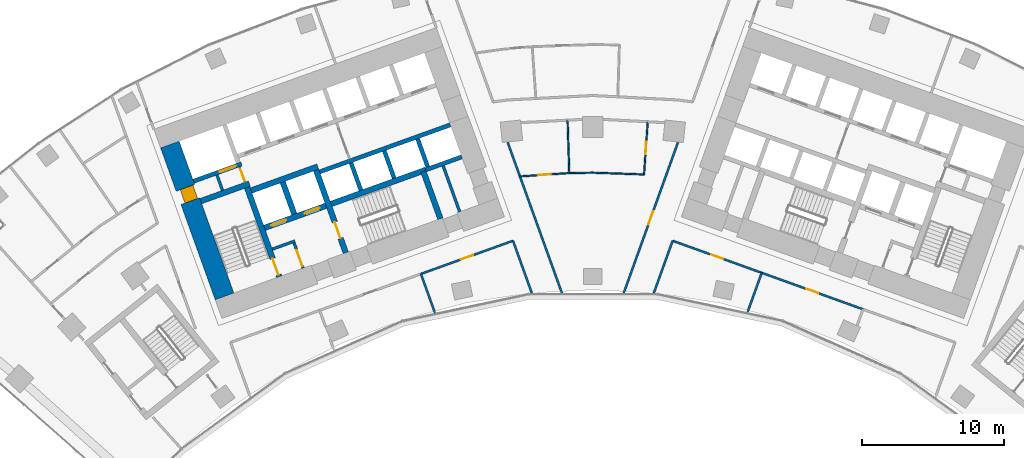
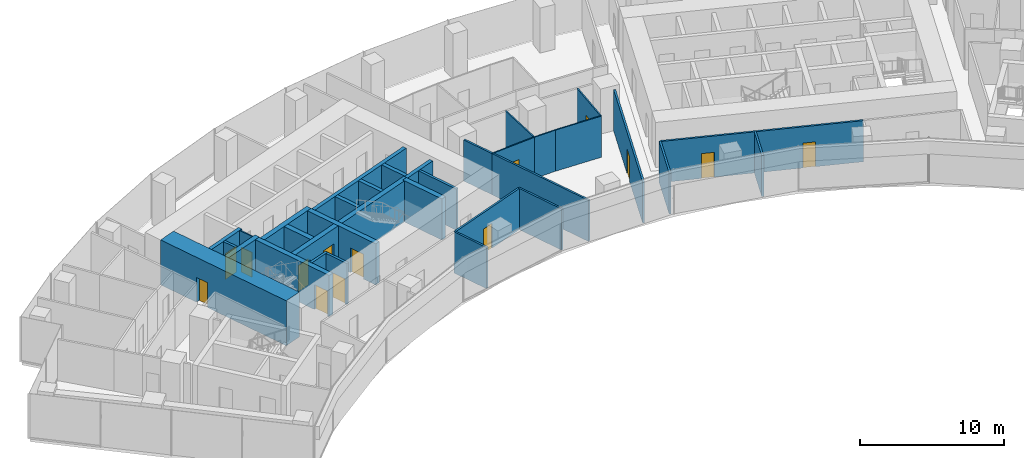
# One storey, part 14 of 21: 34 walls, 14 doors, 14 openings.
"""IFC4 building model written with IfcOpenShell, lengths in metres."""

from ifc_helpers import new_model, si_unit, direction, frame, frame_2d, origin, place, context, subcontext, project, spatial, rectangle, extrude, material, layer, layer_set, type_object, element, fill, save


model = new_model("IFC4")

# Units and contexts
model_context = context("Model", 3, precision=1e-05, world=origin(), true_north=direction((0.0, 1.0)))
body_context = subcontext(model_context, "Body", "Model", "MODEL_VIEW")
ifc_project = project(units=[si_unit("LENGTHUNIT", "METRE"), si_unit("AREAUNIT", "SQUARE_METRE"), si_unit("VOLUMEUNIT", "CUBIC_METRE"), si_unit("PLANEANGLEUNIT", "RADIAN"), si_unit("MASSUNIT", "GRAM", prefix="KILO")], contexts=[model_context])

# Site, building, storey
site_placement = place(None, origin())
site = spatial("IfcSite", under=ifc_project, at=site_placement, CompositionType="ELEMENT")
building_placement = place(site_placement, origin())
building = spatial("IfcBuilding", under=site, at=building_placement, Name="Stone Belt Terrace Tower", CompositionType="ELEMENT")
storey_placement = place(building_placement, frame((0.0, 0.0, 117.39990234375)))
storey = spatial("IfcBuildingStorey", under=building, at=storey_placement, Name="L28", CompositionType="ELEMENT", Elevation=117.39990234375)

# Wall, opening, door
ifc_material_1 = material(Name="Plasterboard partition")
ifc_layer_1 = layer(ifc_material_1, 0.10009765625)
ifc_layer_set_1 = layer_set([ifc_layer_1], Name="Core partition 100")
wall_type_1 = type_object("IfcWallType", Name="Core partition 100", PredefinedType="PARTITIONING", material=ifc_layer_set_1)
wall_1_placement = place(storey_placement, frame((-24.555908203125, 51.10400390625, 0.0), z_axis=(0.0, 0.0, 1.0), x_axis=(-0.338621735342, 0.94092258999, 0.0)))
wall_1 = element("IfcWall", 1, at=wall_1_placement, inside=storey, type_object=wall_type_1, Name="Core A wall", PredefinedType="PARTITIONING", context=body_context, shape_type="SweptSolid", body=[
    extrude(rectangle(XDim=1.14990234375, YDim=0.10009765625, at=frame_2d((0.574951171875, 0.0))), origin(), (0.0, 0.0, 1.0), 3.47998046875),
])
opening_1_placement = place(wall_1_placement, frame((0.050048828125, 0.0, 0.0)))
opening_1 = element("IfcOpeningElement", 2, at=opening_1_placement, cuts=wall_1, Name="Opening L28-C02", PredefinedType="OPENING", context=body_context, shape_type="SweptSolid", body=[
    extrude(rectangle(XDim=1.0, YDim=2.10009765625, at=frame_2d((0.5, 1.050048828125))), frame((0.0, 0.06005859375, 0.0), z_axis=(0.0, -1.0, 0.0), x_axis=(1.0, 0.0, 0.0)), (0.0, 0.0, 1.0), 0.1201171875),
])
ifc_material_2 = material(Name="Timber door leaf", Category="wood")
door_type_1 = type_object("IfcDoorType", Name="Core room door 1000", OperationType="SINGLE_SWING_LEFT", PredefinedType="DOOR", material=ifc_material_2)
door_1_placement = place(opening_1_placement, origin())
door_1 = element("IfcDoor", 3, at=door_1_placement, inside=storey, type_object=door_type_1, Name="Service lift lobby door core A", OperationType="SINGLE_SWING_LEFT", OverallHeight=2.10009765625, OverallWidth=1.0, PredefinedType="DOOR", context=body_context, shape_type="SweptSolid", body=[
    extrude(rectangle(XDim=1.0, YDim=2.10009765625, at=frame_2d((0.5, 1.050048828125))), frame((0.0, 0.02490234375, 0.0), z_axis=(0.0, -1.0, 0.0), x_axis=(1.0, 0.0, 0.0)), (0.0, 0.0, 1.0), 0.050048828125),
])
fill(opening_1, door_1)

ifc_material_3 = material(Name="Concrete B80", Category="concrete")
ifc_layer_2 = layer(ifc_material_3, 1.39990234375)
ifc_layer_set_2 = layer_set([ifc_layer_2], Name="Core wall 1400 B80")
wall_type_2 = type_object("IfcWallType", Name="Core wall 1400 B80", PredefinedType="SHEAR", material=ifc_layer_set_2)
wall_2_placement = place(storey_placement, frame((-26.00927734375, 43.03515625, 0.0), z_axis=(0.0, 0.0, 1.0), x_axis=(-0.338625431531, 0.940921259788, 0.0)))
wall_2 = element("IfcWall", 4, at=wall_2_placement, inside=storey, type_object=wall_type_2, Name="Core A wall end_a L28", PredefinedType="SHEAR", context=body_context, shape_type="SweptSolid", body=[
    extrude(rectangle(XDim=11.400146484375, YDim=1.39990234375, at=frame_2d((5.7001953125, 0.0))), origin(), (0.0, 0.0, 1.0), 3.800048828125),
])
opening_2_placement = place(wall_2_placement, frame((7.14990234375, 0.0, 0.0)))
opening_2 = element("IfcOpeningElement", 5, at=opening_2_placement, cuts=wall_2, Name="Opening L28-C01", PredefinedType="OPENING", context=body_context, shape_type="SweptSolid", body=[
    extrude(rectangle(XDim=1.0, YDim=2.10009765625, at=frame_2d((0.5, 1.050048828125))), frame((0.0, 0.7099609375, 0.0), z_axis=(0.0, -1.0, 0.0), x_axis=(1.0, 0.0, 0.0)), (0.0, 0.0, 1.0), 1.419921875),
])
door_2_placement = place(opening_2_placement, origin())
door_2 = element("IfcDoor", 6, at=door_2_placement, inside=storey, type_object=door_type_1, Name="Door to Telecommunications riser room core A", OperationType="SINGLE_SWING_RIGHT", OverallHeight=2.10009765625, OverallWidth=1.0, PredefinedType="DOOR", context=body_context, shape_type="SweptSolid", body=[
    extrude(rectangle(XDim=1.0, YDim=2.10009765625, at=frame_2d((0.5, 1.050048828125))), frame((0.0, 0.39501953125, 0.0), z_axis=(0.0, -1.0, 0.0), x_axis=(1.0, 0.0, 0.0)), (0.0, 0.0, 1.0), 0.949951171875),
])
fill(opening_2, door_2)

# Walls
ifc_layer_3 = layer(ifc_material_3, 0.39990234375)
ifc_layer_set_3 = layer_set([ifc_layer_3], Name="Fire-fighting lift shaft wall 400")
wall_type_3 = type_object("IfcWallType", Name="Fire-fighting lift shaft wall 400", PredefinedType="SHEAR", material=ifc_layer_set_3)
wall_3_placement = place(storey_placement, frame((-24.130615234375, 50.512939453125, 0.0), z_axis=(0.0, 0.0, 1.0), x_axis=(0.94091168377, 0.338652038744, 0.0)))
element("IfcWall", 7, at=wall_3_placement, inside=storey, type_object=wall_type_3, Name="Core A wall", PredefinedType="SHEAR", context=body_context, shape_type="SweptSolid", body=[
    extrude(rectangle(XDim=5.000244140625, YDim=0.39990234375, at=frame_2d((2.5, 0.0))), origin(), (0.0, 0.0, 1.0), 3.47998046875),
])
wall_4_placement = place(storey_placement, frame((-21.0859375, 48.845458984375, 0.0), z_axis=(0.0, 0.0, 1.0), x_axis=(-0.338629416206, 0.940919825745, 0.0)))
element("IfcWall", 8, at=wall_4_placement, inside=storey, type_object=wall_type_3, Name="Core A wall", PredefinedType="SHEAR", context=body_context, shape_type="SweptSolid", body=[
    extrude(rectangle(XDim=2.400146484375, YDim=0.39990234375, at=frame_2d((1.2001953125, 0.0))), origin(), (0.0, 0.0, 1.0), 3.47998046875),
])

# Wall, opening, door
ifc_layer_4 = layer(ifc_material_3, 0.300048828125)
ifc_layer_set_4 = layer_set([ifc_layer_4], Name="Lift shaft wall 300")
wall_type_4 = type_object("IfcWallType", Name="Lift shaft wall 300", PredefinedType="SHEAR", material=ifc_layer_set_4)
wall_5_placement = place(storey_placement, frame((-28.195068359375, 51.17578125, 0.0), z_axis=(0.0, 0.0, 1.0), x_axis=(0.940901243567, 0.338681044427, 0.0)))
wall_5 = element("IfcWall", 9, at=wall_5_placement, inside=storey, type_object=wall_type_4, Name="Core A wall", PredefinedType="SHEAR", context=body_context, shape_type="SweptSolid", body=[
    extrude(rectangle(XDim=3.599853515625, YDim=0.300048828125, at=frame_2d((1.7998046875, 0.0))), origin(), (0.0, 0.0, 1.0), 3.47998046875),
])
opening_3_placement = place(wall_5_placement, frame((1.969970703125, 0.0, 0.0)))
opening_3 = element("IfcOpeningElement", 10, at=opening_3_placement, cuts=wall_5, Name="Opening L28-LD09", PredefinedType="OPENING", context=body_context, shape_type="SweptSolid", body=[
    extrude(rectangle(XDim=1.199951171875, YDim=2.199951171875, at=frame_2d((0.60009765625, 1.10009765625))), frame((0.0, 0.159912109375, 0.0), z_axis=(0.0, -1.0, 0.0), x_axis=(1.0, 0.0, 0.0)), (0.0, 0.0, 1.0), 0.320068359375),
])
ifc_material_4 = material(Name="Stainless steel door leaf", Category="steel")
door_type_2 = type_object("IfcDoorType", Name="Landing door 1200", OperationType="SLIDING_TO_LEFT", PredefinedType="DOOR", material=ifc_material_4)
door_3_placement = place(opening_3_placement, origin())
door_3 = element("IfcDoor", 11, at=door_3_placement, inside=storey, type_object=door_type_2, Name="Landing door SV1 core A", OperationType="SLIDING_TO_LEFT", OverallHeight=2.199951171875, OverallWidth=1.199951171875, PredefinedType="DOOR", context=body_context, shape_type="SweptSolid", body=[
    extrude(rectangle(XDim=1.199951171875, YDim=2.199951171875, at=frame_2d((0.60009765625, 1.10009765625))), frame((0.0, 0.02490234375, 0.0), z_axis=(0.0, -1.0, 0.0), x_axis=(1.0, 0.0, 0.0)), (0.0, 0.0, 1.0), 0.050048828125),
])
fill(opening_3, door_3)

# Walls
wall_6_placement = place(storey_placement, frame((-19.29052734375, 51.829833984375, 0.0), z_axis=(0.0, 0.0, 1.0), x_axis=(0.940925833398, 0.338612722803, 0.0)))
element("IfcWall", 12, at=wall_6_placement, inside=storey, type_object=wall_type_4, Name="Core A wall", PredefinedType="SHEAR", context=body_context, shape_type="SweptSolid", body=[
    extrude(rectangle(XDim=9.7998046875, YDim=0.300048828125, at=frame_2d((4.89990234375, 0.0))), origin(), (0.0, 0.0, 1.0), 3.47998046875),
])
for number, where, z_axis, x_axis, name in (
    (13, (-16.38134765625, 50.53857421875, 0.0), (0.0, 0.0, 1.0), (-0.338681515556, 0.940901073982, 0.0), "Core A wall"),
    (14, (-14.029052734375, 51.38525390625, 0.0), (0.0, 0.0, 1.0), (-0.338681515556, 0.940901073982, 0.0), "Core A wall"),
):
    element("IfcWall", number, at=place(storey_placement, frame(where, z_axis=z_axis, x_axis=x_axis)), inside=storey, type_object=wall_type_4, Name=name, PredefinedType="SHEAR", context=body_context, shape_type="SweptSolid", body=[
        extrude(rectangle(XDim=2.050048828125, YDim=0.300048828125, at=frame_2d((1.02490234375, 0.0))), origin(), (0.0, 0.0, 1.0), 3.47998046875),
    ])
wall_7_placement = place(storey_placement, frame((-11.797119140625, 51.975830078125, 0.0), z_axis=(0.0, 0.0, 1.0), x_axis=(0.940910465161, 0.33865542451, 0.0)))
element("IfcWall", 15, at=wall_7_placement, inside=storey, type_object=wall_type_4, Name="Core A wall", PredefinedType="SHEAR", context=body_context, shape_type="SweptSolid", body=[
    extrude(rectangle(XDim=2.69970703125, YDim=0.300048828125, at=frame_2d((1.349853515625, 0.0))), origin(), (0.0, 0.0, 1.0), 3.47998046875),
])
wall_8_placement = place(storey_placement, frame((-11.659912109375, 52.184814453125, 0.0), z_axis=(0.0, 0.0, 1.0), x_axis=(-0.338670064856, 0.940905195634, 0.0)))
element("IfcWall", 16, at=wall_8_placement, inside=storey, type_object=wall_type_4, Name="Core A wall", PredefinedType="SHEAR", context=body_context, shape_type="SweptSolid", body=[
    extrude(rectangle(XDim=2.099853515625, YDim=0.300048828125, at=frame_2d((1.0498046875, 0.0))), origin(), (0.0, 0.0, 1.0), 3.47998046875),
])

# Wall, opening, door
ifc_material_5 = material(Name="Gypsum board partition")
ifc_layer_5 = layer(ifc_material_5, 0.10009765625)
ifc_layer_set_5 = layer_set([ifc_layer_5], Name="PARTITION 100")
wall_type_5 = type_object("IfcWallType", Name="PARTITION 100", PredefinedType="PARTITIONING", material=ifc_layer_set_5)
wall_9_placement = place(storey_placement, frame((-5.14697265625, 51.509033203125, 0.0), z_axis=(0.0, 0.0, 1.0), x_axis=(0.997654919986, 0.068444580705, 0.0)))
wall_9 = element("IfcWall", 17, at=wall_9_placement, inside=storey, type_object=wall_type_5, Name="L28/wall/i095", PredefinedType="PARTITIONING", context=body_context, shape_type="SweptSolid", body=[
    extrude(rectangle(XDim=3.4921875, YDim=0.10009765625, at=frame_2d((1.74609375, 0.0))), origin(), (0.0, 0.0, 1.0), 3.47998046875),
])
opening_4_placement = place(wall_9_placement, frame((1.296142578125, 0.0, 0.0)))
opening_4 = element("IfcOpeningElement", 18, at=opening_4_placement, cuts=wall_9, Name="Opening D-B4-29", PredefinedType="OPENING", context=body_context, shape_type="SweptSolid", body=[
    extrude(rectangle(XDim=0.89990234375, YDim=2.10009765625, at=frame_2d((0.449951171875, 1.050048828125))), frame((0.0, 0.06005859375, 0.0), z_axis=(0.0, -1.0, 0.0), x_axis=(1.0, 0.0, 0.0)), (0.0, 0.0, 1.0), 0.1201171875),
])
door_type_3 = type_object("IfcDoorType", Name="OFFICE DOOR 900 X 2100", OperationType="NOTDEFINED", PredefinedType="DOOR", material=ifc_material_2)
door_4_placement = place(opening_4_placement, origin())
door_4 = element("IfcDoor", 19, at=door_4_placement, inside=storey, type_object=door_type_3, Name="L28/door/i29", OperationType="SINGLE_SWING_RIGHT", OverallHeight=2.10009765625, OverallWidth=0.89990234375, PredefinedType="DOOR", context=body_context, shape_type="SweptSolid", body=[
    extrude(rectangle(XDim=0.89990234375, YDim=2.10009765625, at=frame_2d((0.449951171875, 1.050048828125))), frame((0.0, 0.02490234375, 0.0), z_axis=(0.0, -1.0, 0.0), x_axis=(1.0, 0.0, 0.0)), (0.0, 0.0, 1.0), 0.050048828125),
])
fill(opening_4, door_4)

# Walls
wall_10_placement = place(storey_placement, frame((-1.6630859375, 51.748046875, 0.0), z_axis=(0.0, 0.0, 1.0), x_axis=(0.999869646958, 0.016145869226, 0.0)))
element("IfcWall", 20, at=wall_10_placement, inside=storey, type_object=wall_type_5, Name="L28/wall/i096", PredefinedType="PARTITIONING", context=body_context, shape_type="SweptSolid", body=[
    extrude(rectangle(XDim=1.663330078125, YDim=0.10009765625, at=frame_2d((0.83154296875, 0.0))), origin(), (0.0, 0.0, 1.0), 3.47998046875),
])
wall_11_placement = place(storey_placement, frame((0.0, 51.77490234375, 0.0), z_axis=(0.0, 0.0, 1.0), x_axis=(0.999384578981, -0.035077960248, 0.0)))
element("IfcWall", 21, at=wall_11_placement, inside=storey, type_object=wall_type_5, Name="L28/wall/i097", PredefinedType="PARTITIONING", context=body_context, shape_type="SweptSolid", body=[
    extrude(rectangle(XDim=3.619140625, YDim=0.10009765625, at=frame_2d((1.8095703125, 0.0))), origin(), (0.0, 0.0, 1.0), 3.47998046875),
])

# Wall, opening, door
wall_12_placement = place(storey_placement, frame((3.616943359375, 51.64794921875, 0.0), z_axis=(0.0, 0.0, 1.0), x_axis=(0.069908521792, 0.99755340638, 0.0)))
wall_12 = element("IfcWall", 22, at=wall_12_placement, inside=storey, type_object=wall_type_5, Name="L28/wall/i098", PredefinedType="PARTITIONING", context=body_context, shape_type="SweptSolid", body=[
    extrude(rectangle(XDim=3.733154296875, YDim=0.10009765625, at=frame_2d((1.86669921875, 0.0))), origin(), (0.0, 0.0, 1.0), 3.47998046875),
])
opening_5_placement = place(wall_12_placement, frame((1.41650390625, 0.0, 0.0)))
opening_5 = element("IfcOpeningElement", 23, at=opening_5_placement, cuts=wall_12, Name="Opening D-B4-30", PredefinedType="OPENING", context=body_context, shape_type="SweptSolid", body=[
    extrude(rectangle(XDim=0.89990234375, YDim=2.10009765625, at=frame_2d((0.449951171875, 1.050048828125))), frame((0.0, 0.06005859375, 0.0), z_axis=(0.0, -1.0, 0.0), x_axis=(1.0, 0.0, 0.0)), (0.0, 0.0, 1.0), 0.1201171875),
])
door_5_placement = place(opening_5_placement, origin())
door_5 = element("IfcDoor", 24, at=door_5_placement, inside=storey, type_object=door_type_3, Name="L28/door/i30", OperationType="SINGLE_SWING_RIGHT", OverallHeight=2.10009765625, OverallWidth=0.89990234375, PredefinedType="DOOR", context=body_context, shape_type="SweptSolid", body=[
    extrude(rectangle(XDim=0.89990234375, YDim=2.10009765625, at=frame_2d((0.449951171875, 1.050048828125))), frame((0.0, 0.02490234375, 0.0), z_axis=(0.0, -1.0, 0.0), x_axis=(1.0, 0.0, 0.0)), (0.0, 0.0, 1.0), 0.050048828125),
])
fill(opening_5, door_5)

# Walls
wall_13_placement = place(storey_placement, frame((-1.782958984375, 55.48193359375, 0.0), z_axis=(0.0, 0.0, 1.0), x_axis=(0.032087561479, -0.999485061618, 0.0)))
element("IfcWall", 25, at=wall_13_placement, inside=storey, type_object=wall_type_5, Name="L28/wall/i099", PredefinedType="PARTITIONING", context=body_context, shape_type="SweptSolid", body=[
    extrude(rectangle(XDim=3.73583984375, YDim=0.10009765625, at=frame_2d((1.867919921875, 0.0))), origin(), (0.0, 0.0, 1.0), 3.47998046875),
])
ifc_layer_6 = layer(ifc_material_5, 0.14990234375)
ifc_layer_set_6 = layer_set([ifc_layer_6], Name="PARTITION 150 EI 60")
wall_type_6 = type_object("IfcWallType", Name="PARTITION 150 EI 60", PredefinedType="PARTITIONING", material=ifc_layer_set_6)
wall_14_placement = place(storey_placement, frame((-4.31005859375, 43.27783203125, 0.0), z_axis=(0.0, 0.0, 1.0), x_axis=(-0.338490436495, 0.940969831823, 0.0)))
element("IfcWall", 26, at=wall_14_placement, inside=storey, type_object=wall_type_6, Name="L28/wall/i008", PredefinedType="PARTITIONING", context=body_context, shape_type="SweptSolid", body=[
    extrude(rectangle(XDim=3.92578125, YDim=0.14990234375, at=frame_2d((1.962890625, 0.0))), origin(), (0.0, 0.0, 1.0), 3.47998046875),
])
wall_15_placement = place(storey_placement, frame((-5.14892578125, 51.514892578125, 0.0), z_axis=(0.0, 0.0, 1.0), x_axis=(0.338625833111, -0.940921115264, 0.0)))
element("IfcWall", 27, at=wall_15_placement, inside=storey, type_object=wall_type_6, Name="L28/wall/i010", PredefinedType="PARTITIONING", context=body_context, shape_type="SweptSolid", body=[
    extrude(rectangle(XDim=8.771484375, YDim=0.14990234375, at=frame_2d((4.3857421875, 0.0))), origin(), (0.0, 0.0, 1.0), 3.47998046875),
])
wall_16_placement = place(storey_placement, frame((-6.011962890625, 53.911865234375, 0.0), z_axis=(0.0, 0.0, 1.0), x_axis=(0.338624916553, -0.940921445122, 0.0)))
element("IfcWall", 28, at=wall_16_placement, inside=storey, type_object=wall_type_6, Name="L28/wall/i011", PredefinedType="PARTITIONING", context=body_context, shape_type="SweptSolid", body=[
    extrude(rectangle(XDim=2.560302734375, YDim=0.14990234375, at=frame_2d((1.2802734375, 0.0))), origin(), (0.0, 0.0, 1.0), 3.47998046875),
])

# Wall, opening, door
wall_17_placement = place(storey_placement, frame((-5.636962890625, 46.966064453125, 0.0), z_axis=(0.0, 0.0, 1.0), x_axis=(-0.940914398552, -0.33864449589, 0.0)))
wall_17 = element("IfcWall", 29, at=wall_17_placement, inside=storey, type_object=wall_type_6, Name="L28/wall/i016", PredefinedType="PARTITIONING", context=body_context, shape_type="SweptSolid", body=[
    extrude(rectangle(XDim=6.918701171875, YDim=0.14990234375, at=frame_2d((3.45947265625, 0.0))), origin(), (0.0, 0.0, 1.0), 3.47998046875),
])
opening_6_placement = place(wall_17_placement, frame((3.00927734375, 0.0, 0.0)))
opening_6 = element("IfcOpeningElement", 30, at=opening_6_placement, cuts=wall_17, Name="Opening D-B4-03", PredefinedType="OPENING", context=body_context, shape_type="SweptSolid", body=[
    extrude(rectangle(XDim=0.89990234375, YDim=2.10009765625, at=frame_2d((0.449951171875, 1.050048828125))), frame((0.0, 0.0849609375, 0.0), z_axis=(0.0, -1.0, 0.0), x_axis=(1.0, 0.0, 0.0)), (0.0, 0.0, 1.0), 0.169921875),
])
door_6_placement = place(opening_6_placement, origin())
door_6 = element("IfcDoor", 31, at=door_6_placement, inside=storey, type_object=door_type_3, Name="L28/door/i03", OperationType="SINGLE_SWING_RIGHT", OverallHeight=2.10009765625, OverallWidth=0.89990234375, PredefinedType="DOOR", context=body_context, shape_type="SweptSolid", body=[
    extrude(rectangle(XDim=0.89990234375, YDim=2.10009765625, at=frame_2d((0.449951171875, 1.050048828125))), frame((0.0, 0.02490234375, 0.0), z_axis=(0.0, -1.0, 0.0), x_axis=(1.0, 0.0, 0.0)), (0.0, 0.0, 1.0), 0.050048828125),
])
fill(opening_6, door_6)

# Walls
wall_18_placement = place(storey_placement, frame((-12.14111328125, 44.625, 0.0), z_axis=(0.0, 0.0, 1.0), x_axis=(0.338687117688, -0.940899057451, 0.0)))
element("IfcWall", 32, at=wall_18_placement, inside=storey, type_object=wall_type_6, Name="L28/wall/i019", PredefinedType="PARTITIONING", context=body_context, shape_type="SweptSolid", body=[
    extrude(rectangle(XDim=2.939697265625, YDim=0.14990234375, at=frame_2d((1.4697265625, 0.0))), origin(), (0.0, 0.0, 1.0), 3.47998046875),
])
wall_19_placement = place(storey_placement, frame((5.638916015625, 46.971923828125, 0.0), z_axis=(0.0, 0.0, 1.0), x_axis=(-0.338490436495, -0.940969831823, 0.0)))
element("IfcWall", 33, at=wall_19_placement, inside=storey, type_object=wall_type_6, Name="L28/wall/i021", PredefinedType="PARTITIONING", context=body_context, shape_type="SweptSolid", body=[
    extrude(rectangle(XDim=3.92578125, YDim=0.14990234375, at=frame_2d((1.962890625, 0.0))), origin(), (0.0, 0.0, 1.0), 3.47998046875),
])

# Wall, opening, door
wall_20_placement = place(storey_placement, frame((2.1787109375, 43.26171875, 0.0), z_axis=(0.0, 0.0, 1.0), x_axis=(0.338656837626, 0.940909956547, 0.0)))
wall_20 = element("IfcWall", 34, at=wall_20_placement, inside=storey, type_object=wall_type_6, Name="L28/wall/i023", PredefinedType="PARTITIONING", context=body_context, shape_type="SweptSolid", body=[
    extrude(rectangle(XDim=11.319091796875, YDim=0.14990234375, at=frame_2d((5.65966796875, 0.0))), origin(), (0.0, 0.0, 1.0), 3.47998046875),
])
opening_7_placement = place(wall_20_placement, frame((5.159423828125, 0.0, 0.0)))
opening_7 = element("IfcOpeningElement", 35, at=opening_7_placement, cuts=wall_20, Name="Opening D-B4-28", PredefinedType="OPENING", context=body_context, shape_type="SweptSolid", body=[
    extrude(rectangle(XDim=1.0, YDim=2.10009765625, at=frame_2d((0.5, 1.050048828125))), frame((0.0, 0.0849609375, 0.0), z_axis=(0.0, -1.0, 0.0), x_axis=(1.0, 0.0, 0.0)), (0.0, 0.0, 1.0), 0.169921875),
])
ifc_material_6 = material(Name="Timber fire door leaf", Category="wood")
door_type_4 = type_object("IfcDoorType", Name="TENANCY ENTRANCE DOOR 1000 X 2100", OperationType="NOTDEFINED", PredefinedType="DOOR", material=ifc_material_6)
door_7_placement = place(opening_7_placement, origin())
door_7 = element("IfcDoor", 36, at=door_7_placement, inside=storey, type_object=door_type_4, Name="L28/door/i28", OperationType="SINGLE_SWING_LEFT", OverallHeight=2.10009765625, OverallWidth=1.0, PredefinedType="DOOR", context=body_context, shape_type="SweptSolid", body=[
    extrude(rectangle(XDim=1.0, YDim=2.10009765625, at=frame_2d((0.5, 1.050048828125))), frame((0.0, 0.02490234375, 0.0), z_axis=(0.0, -1.0, 0.0), x_axis=(1.0, 0.0, 0.0)), (0.0, 0.0, 1.0), 0.050048828125),
])
fill(opening_7, door_7)

wall_21_placement = place(storey_placement, frame((11.93408203125, 44.699951171875, 0.0), z_axis=(0.0, 0.0, 1.0), x_axis=(-0.94092786382, 0.33860708068, 0.0)))
wall_21 = element("IfcWall", 37, at=wall_21_placement, inside=storey, type_object=wall_type_6, Name="L28/wall/i031", PredefinedType="PARTITIONING", context=body_context, shape_type="SweptSolid", body=[
    extrude(rectangle(XDim=6.6923828125, YDim=0.14990234375, at=frame_2d((3.34619140625, 0.0))), origin(), (0.0, 0.0, 1.0), 3.47998046875),
])
opening_8_placement = place(wall_21_placement, frame((2.896240234375, 0.0, 0.0)))
opening_8 = element("IfcOpeningElement", 38, at=opening_8_placement, cuts=wall_21, Name="Opening D-B4-06", PredefinedType="OPENING", context=body_context, shape_type="SweptSolid", body=[
    extrude(rectangle(XDim=0.89990234375, YDim=2.10009765625, at=frame_2d((0.449951171875, 1.050048828125))), frame((0.0, 0.0849609375, 0.0), z_axis=(0.0, -1.0, 0.0), x_axis=(1.0, 0.0, 0.0)), (0.0, 0.0, 1.0), 0.169921875),
])
door_8_placement = place(opening_8_placement, origin())
door_8 = element("IfcDoor", 39, at=door_8_placement, inside=storey, type_object=door_type_3, Name="L28/door/i06", OperationType="SINGLE_SWING_RIGHT", OverallHeight=2.10009765625, OverallWidth=0.89990234375, PredefinedType="DOOR", context=body_context, shape_type="SweptSolid", body=[
    extrude(rectangle(XDim=0.89990234375, YDim=2.10009765625, at=frame_2d((0.449951171875, 1.050048828125))), frame((0.0, 0.02490234375, 0.0), z_axis=(0.0, -1.0, 0.0), x_axis=(1.0, 0.0, 0.0)), (0.0, 0.0, 1.0), 0.050048828125),
])
fill(opening_8, door_8)

wall_22_placement = place(storey_placement, frame((19.0859375, 42.1259765625, 0.0), z_axis=(0.0, 0.0, 1.0), x_axis=(-0.940922970356, 0.338620678423, 0.0)))
wall_22 = element("IfcWall", 40, at=wall_22_placement, inside=storey, type_object=wall_type_6, Name="L28/wall/i032", PredefinedType="PARTITIONING", context=body_context, shape_type="SweptSolid", body=[
    extrude(rectangle(XDim=7.613525390625, YDim=0.14990234375, at=frame_2d((3.806640625, 0.0))), origin(), (0.0, 0.0, 1.0), 3.47998046875),
])
opening_9_placement = place(wall_22_placement, frame((3.35693359375, 0.0, 0.0)))
opening_9 = element("IfcOpeningElement", 41, at=opening_9_placement, cuts=wall_22, Name="Opening D-B4-07", PredefinedType="OPENING", context=body_context, shape_type="SweptSolid", body=[
    extrude(rectangle(XDim=0.89990234375, YDim=2.10009765625, at=frame_2d((0.449951171875, 1.050048828125))), frame((0.0, 0.0849609375, 0.0), z_axis=(0.0, -1.0, 0.0), x_axis=(1.0, 0.0, 0.0)), (0.0, 0.0, 1.0), 0.169921875),
])
door_9_placement = place(opening_9_placement, origin())
door_9 = element("IfcDoor", 42, at=door_9_placement, inside=storey, type_object=door_type_3, Name="L28/door/i07", OperationType="SINGLE_SWING_RIGHT", OverallHeight=2.10009765625, OverallWidth=0.89990234375, PredefinedType="DOOR", context=body_context, shape_type="SweptSolid", body=[
    extrude(rectangle(XDim=0.89990234375, YDim=2.10009765625, at=frame_2d((0.449951171875, 1.050048828125))), frame((0.0, 0.02490234375, 0.0), z_axis=(0.0, -1.0, 0.0), x_axis=(1.0, 0.0, 0.0)), (0.0, 0.0, 1.0), 0.050048828125),
])
fill(opening_9, door_9)

# Walls
wall_23_placement = place(storey_placement, frame((11.927978515625, 44.701904296875, 0.0), z_axis=(0.0, 0.0, 1.0), x_axis=(-0.33850120376, -0.940965958498, 0.0)))
element("IfcWall", 43, at=wall_23_placement, inside=storey, type_object=wall_type_6, Name="L28/wall/i034", PredefinedType="PARTITIONING", context=body_context, shape_type="SweptSolid", body=[
    extrude(rectangle(XDim=2.970703125, YDim=0.14990234375, at=frame_2d((1.4853515625, 0.0))), origin(), (0.0, 0.0, 1.0), 3.47998046875),
])
ifc_material_7 = material(Name="Concrete masonry block", Category="masonry")
ifc_layer_7 = layer(ifc_material_7, 0.199951171875)
ifc_layer_set_7 = layer_set([ifc_layer_7], Name="Rated lobby wall 200")
wall_type_7 = type_object("IfcWallType", Name="Rated lobby wall 200", PredefinedType="PARTITIONING", material=ifc_layer_set_7)
wall_24_placement = place(storey_placement, frame((-26.1552734375, 50.5283203125, 0.0), z_axis=(0.0, 0.0, 1.0), x_axis=(-0.338621735342, 0.94092258999, 0.0)))
element("IfcWall", 44, at=wall_24_placement, inside=storey, type_object=wall_type_7, Name="Core A wall", PredefinedType="PARTITIONING", context=body_context, shape_type="SweptSolid", body=[
    extrude(rectangle(XDim=1.14990234375, YDim=0.199951171875, at=frame_2d((0.574951171875, 0.0))), origin(), (0.0, 0.0, 1.0), 3.47998046875),
])
wall_25_placement = place(storey_placement, frame((-22.640625, 46.373046875, 0.0), z_axis=(0.0, 0.0, 1.0), x_axis=(0.940966110313, 0.338500781747, 0.0)))
element("IfcWall", 45, at=wall_25_placement, inside=storey, type_object=wall_type_7, Name="Core A wall", PredefinedType="PARTITIONING", context=body_context, shape_type="SweptSolid", body=[
    extrude(rectangle(XDim=1.699951171875, YDim=0.199951171875, at=frame_2d((0.85009765625, 0.0))), origin(), (0.0, 0.0, 1.0), 3.47998046875),
])

# Wall, opening, door
wall_26_placement = place(storey_placement, frame((-20.4580078125, 45.032958984375, 0.0), z_axis=(0.0, 0.0, 1.0), x_axis=(-0.338573865316, 0.940939816208, 0.0)))
wall_26 = element("IfcWall", 46, at=wall_26_placement, inside=storey, type_object=wall_type_7, Name="Core A wall", PredefinedType="PARTITIONING", context=body_context, shape_type="SweptSolid", body=[
    extrude(rectangle(XDim=1.900146484375, YDim=0.199951171875, at=frame_2d((0.9501953125, 0.0))), origin(), (0.0, 0.0, 1.0), 3.47998046875),
])
opening_10_placement = place(wall_26_placement, frame((0.14990234375, 0.0, 0.0)))
opening_10 = element("IfcOpeningElement", 47, at=opening_10_placement, cuts=wall_26, Name="Opening L28-C06", PredefinedType="OPENING", context=body_context, shape_type="SweptSolid", body=[
    extrude(rectangle(XDim=1.199951171875, YDim=2.10009765625, at=frame_2d((0.60009765625, 1.050048828125))), frame((0.0, 0.10986328125, 0.0), z_axis=(0.0, -1.0, 0.0), x_axis=(1.0, 0.0, 0.0)), (0.0, 0.0, 1.0), 0.219970703125),
])
ifc_material_8 = material(Name="Steel door leaf", Category="steel")
door_type_5 = type_object("IfcDoorType", Name="Stair door 1200", OperationType="SINGLE_SWING_LEFT", PredefinedType="DOOR", material=ifc_material_8)
door_10_placement = place(opening_10_placement, origin())
door_10 = element("IfcDoor", 48, at=door_10_placement, inside=storey, type_object=door_type_5, Name="Stair airlock door core A", OperationType="SINGLE_SWING_LEFT", OverallHeight=2.10009765625, OverallWidth=1.199951171875, PredefinedType="DOOR", context=body_context, shape_type="SweptSolid", body=[
    extrude(rectangle(XDim=1.199951171875, YDim=2.10009765625, at=frame_2d((0.60009765625, 1.050048828125))), frame((0.0, 0.02490234375, 0.0), z_axis=(0.0, -1.0, 0.0), x_axis=(1.0, 0.0, 0.0)), (0.0, 0.0, 1.0), 0.050048828125),
])
fill(opening_10, door_10)

# Walls
wall_27_placement = place(storey_placement, frame((-9.402099609375, 49.01171875, 0.0), z_axis=(0.0, 0.0, 1.0), x_axis=(-0.338599189079, 0.940930703695, 0.0)))
element("IfcWall", 49, at=wall_27_placement, inside=storey, type_object=wall_type_7, Name="Core A wall", PredefinedType="PARTITIONING", context=body_context, shape_type="SweptSolid", body=[
    extrude(rectangle(XDim=3.4501953125, YDim=0.199951171875, at=frame_2d((1.72509765625, 0.0))), origin(), (0.0, 0.0, 1.0), 3.47998046875),
])
ifc_layer_8 = layer(ifc_material_3, 0.39990234375)
ifc_layer_set_8 = layer_set([ifc_layer_8], Name="Stair enclosure wall 400")
wall_type_8 = type_object("IfcWallType", Name="Stair enclosure wall 400", PredefinedType="SHEAR", material=ifc_layer_set_8)
wall_28_placement = place(storey_placement, frame((-27.687255859375, 49.764404296875, 0.0), z_axis=(0.0, 0.0, 1.0), x_axis=(0.940918954884, 0.338631835981, 0.0)))
element("IfcWall", 50, at=wall_28_placement, inside=storey, type_object=wall_type_8, Name="Core A wall", PredefinedType="SHEAR", context=body_context, shape_type="SweptSolid", body=[
    extrude(rectangle(XDim=3.650146484375, YDim=0.39990234375, at=frame_2d((1.8251953125, 0.0))), origin(), (0.0, 0.0, 1.0), 3.47998046875),
])

# Wall, opening, door
wall_29_placement = place(storey_placement, frame((-22.151611328125, 44.42333984375, 0.0), z_axis=(0.0, 0.0, 1.0), x_axis=(-0.338625272931, 0.940921316866, 0.0)))
wall_29 = element("IfcWall", 51, at=wall_29_placement, inside=storey, type_object=wall_type_8, Name="Core A wall", PredefinedType="SHEAR", context=body_context, shape_type="SweptSolid", body=[
    extrude(rectangle(XDim=6.699951171875, YDim=0.39990234375, at=frame_2d((3.35009765625, 0.0))), origin(), (0.0, 0.0, 1.0), 3.47998046875),
])
opening_11_placement = place(wall_29_placement, frame((0.14990234375, 0.0, 0.0)))
opening_11 = element("IfcOpeningElement", 52, at=opening_11_placement, cuts=wall_29, Name="Opening L28-C05", PredefinedType="OPENING", context=body_context, shape_type="SweptSolid", body=[
    extrude(rectangle(XDim=1.199951171875, YDim=2.10009765625, at=frame_2d((0.60009765625, 1.050048828125))), frame((0.0, 0.2099609375, 0.0), z_axis=(0.0, -1.0, 0.0), x_axis=(1.0, 0.0, 0.0)), (0.0, 0.0, 1.0), 0.419921875),
])
door_11_placement = place(opening_11_placement, origin())
door_11 = element("IfcDoor", 53, at=door_11_placement, inside=storey, type_object=door_type_5, Name="Stair 1 door core A", OperationType="SINGLE_SWING_LEFT", OverallHeight=2.10009765625, OverallWidth=1.199951171875, PredefinedType="DOOR", context=body_context, shape_type="SweptSolid", body=[
    extrude(rectangle(XDim=1.199951171875, YDim=2.10009765625, at=frame_2d((0.60009765625, 1.050048828125))), frame((0.0, 0.02490234375, 0.0), z_axis=(0.0, -1.0, 0.0), x_axis=(1.0, 0.0, 0.0)), (0.0, 0.0, 1.0), 0.050048828125),
])
fill(opening_11, door_11)

# Wall, openings, doors
wall_30_placement = place(storey_placement, frame((-23.182373046875, 47.87841796875, 0.0), z_axis=(0.0, 0.0, 1.0), x_axis=(0.940921101762, 0.338625870628, 0.0)))
wall_30 = element("IfcWall", 54, at=wall_30_placement, inside=storey, type_object=wall_type_8, Name="Core A wall", PredefinedType="SHEAR", context=body_context, shape_type="SweptSolid", body=[
    extrude(rectangle(XDim=12.10009765625, YDim=0.39990234375, at=frame_2d((6.050048828125, 0.0))), origin(), (0.0, 0.0, 1.0), 3.47998046875),
])
opening_12_placement = place(wall_30_placement, frame((0.52001953125, 0.0, 0.0)))
opening_12 = element("IfcOpeningElement", 55, at=opening_12_placement, cuts=wall_30, Name="Opening L28-LD07", PredefinedType="OPENING", context=body_context, shape_type="SweptSolid", body=[
    extrude(rectangle(XDim=1.10009765625, YDim=2.199951171875, at=frame_2d((0.550048828125, 1.10009765625))), frame((0.0, 0.2099609375, 0.0), z_axis=(0.0, -1.0, 0.0), x_axis=(1.0, 0.0, 0.0)), (0.0, 0.0, 1.0), 0.419921875),
])
opening_13_placement = place(wall_30_placement, frame((3.02001953125, 0.0, 0.0)))
opening_13 = element("IfcOpeningElement", 56, at=opening_13_placement, cuts=wall_30, Name="Opening L28-LD08", PredefinedType="OPENING", context=body_context, shape_type="SweptSolid", body=[
    extrude(rectangle(XDim=1.10009765625, YDim=2.199951171875, at=frame_2d((0.550048828125, 1.10009765625))), frame((0.0, 0.2099609375, 0.0), z_axis=(0.0, -1.0, 0.0), x_axis=(1.0, 0.0, 0.0)), (0.0, 0.0, 1.0), 0.419921875),
])
door_type_6 = type_object("IfcDoorType", Name="Landing door 1100", OperationType="SLIDING_TO_LEFT", PredefinedType="DOOR", material=ifc_material_4)
door_12_placement = place(opening_12_placement, origin())
door_12 = element("IfcDoor", 57, at=door_12_placement, inside=storey, type_object=door_type_6, Name="Landing door FF1 core A", OperationType="SLIDING_TO_LEFT", OverallHeight=2.199951171875, OverallWidth=1.10009765625, PredefinedType="DOOR", context=body_context, shape_type="SweptSolid", body=[
    extrude(rectangle(XDim=1.10009765625, YDim=2.199951171875, at=frame_2d((0.550048828125, 1.10009765625))), frame((0.0, 0.02490234375, 0.0), z_axis=(0.0, -1.0, 0.0), x_axis=(1.0, 0.0, 0.0)), (0.0, 0.0, 1.0), 0.050048828125),
])
fill(opening_12, door_12)
door_13_placement = place(opening_13_placement, origin())
door_13 = element("IfcDoor", 58, at=door_13_placement, inside=storey, type_object=door_type_6, Name="Landing door FF2 core A", OperationType="SLIDING_TO_LEFT", OverallHeight=2.199951171875, OverallWidth=1.10009765625, PredefinedType="DOOR", context=body_context, shape_type="SweptSolid", body=[
    extrude(rectangle(XDim=1.10009765625, YDim=2.199951171875, at=frame_2d((0.550048828125, 1.10009765625))), frame((0.0, 0.02490234375, 0.0), z_axis=(0.0, -1.0, 0.0), x_axis=(1.0, 0.0, 0.0)), (0.0, 0.0, 1.0), 0.050048828125),
])
fill(opening_13, door_13)

# Wall, opening, door
wall_31_placement = place(storey_placement, frame((-17.447021484375, 46.116455078125, 0.0), z_axis=(0.0, 0.0, 1.0), x_axis=(-0.33860791464, 0.940927563707, 0.0)))
wall_31 = element("IfcWall", 59, at=wall_31_placement, inside=storey, type_object=wall_type_8, Name="Core A wall", PredefinedType="SHEAR", context=body_context, shape_type="SweptSolid", body=[
    extrude(rectangle(XDim=6.199951171875, YDim=0.39990234375, at=frame_2d((3.10009765625, 0.0))), origin(), (0.0, 0.0, 1.0), 3.47998046875),
])
opening_14_placement = place(wall_31_placement, frame((1.10009765625, 0.0, 0.0)))
opening_14 = element("IfcOpeningElement", 60, at=opening_14_placement, cuts=wall_31, Name="Opening L28-C08", PredefinedType="OPENING", context=body_context, shape_type="SweptSolid", body=[
    extrude(rectangle(XDim=1.199951171875, YDim=2.10009765625, at=frame_2d((0.60009765625, 1.050048828125))), frame((0.0, 0.2099609375, 0.0), z_axis=(0.0, -1.0, 0.0), x_axis=(1.0, 0.0, 0.0)), (0.0, 0.0, 1.0), 0.419921875),
])
door_14_placement = place(opening_14_placement, origin())
door_14 = element("IfcDoor", 61, at=door_14_placement, inside=storey, type_object=door_type_5, Name="Stair 2 door core A", OperationType="SINGLE_SWING_LEFT", OverallHeight=2.10009765625, OverallWidth=1.199951171875, PredefinedType="DOOR", context=body_context, shape_type="SweptSolid", body=[
    extrude(rectangle(XDim=1.199951171875, YDim=2.10009765625, at=frame_2d((0.60009765625, 1.050048828125))), frame((0.0, 0.02490234375, 0.0), z_axis=(0.0, -1.0, 0.0), x_axis=(1.0, 0.0, 0.0)), (0.0, 0.0, 1.0), 0.050048828125),
])
fill(opening_14, door_14)

# Wall
wall_32_placement = place(storey_placement, frame((-10.766357421875, 48.520751953125, 0.0), z_axis=(0.0, 0.0, 1.0), x_axis=(-0.338626928157, 0.94092072117, 0.0)))
element("IfcWall", 62, at=wall_32_placement, inside=storey, type_object=wall_type_8, Name="Core A wall", PredefinedType="SHEAR", context=body_context, shape_type="SweptSolid", body=[
    extrude(rectangle(XDim=3.550048828125, YDim=0.39990234375, at=frame_2d((1.77490234375, 0.0))), origin(), (0.0, 0.0, 1.0), 3.47998046875),
])

save(model, "model.ifc")
